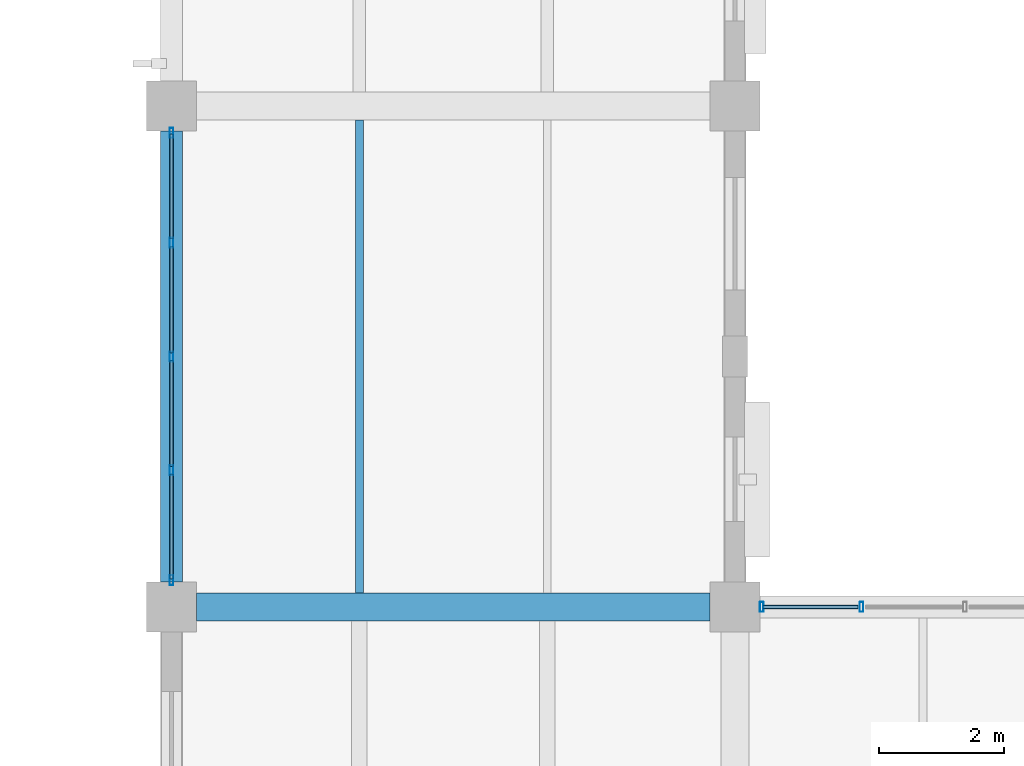
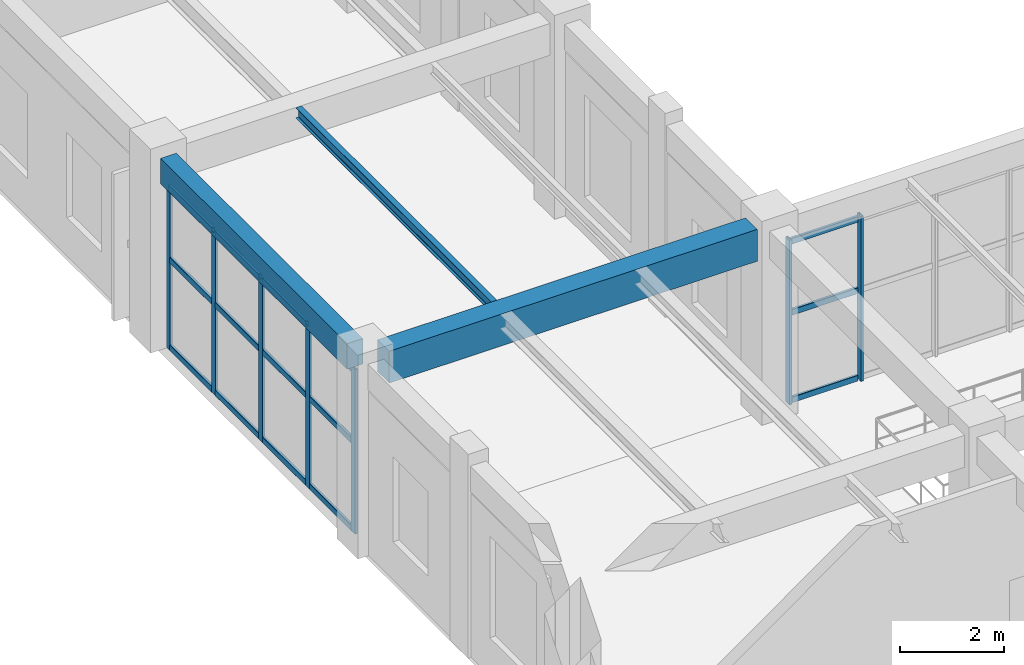
# One storey, part 49 of 178: 22 members, 3 beams, 2 elements without a shape of their own.
"""IFC4 building model written with IfcOpenShell, lengths in metres."""

from ifc_helpers import new_model, si_unit, derived_unit, direction, frame, origin, origin_2d, place, context, subcontext, project, spatial, rectangle, hollow_rectangle, i_section, extrude, material, material_profile, profile_set, type_object, element, aggregate, save


model = new_model("IFC4")

# Units and contexts
model_context = context("Model", 3, precision=1e-05, world=origin(), true_north=direction((0.0, 1.0)))
body_context = subcontext(model_context, "Body", "Model", "MODEL_VIEW")
ifc_project = project(units=[si_unit("LENGTHUNIT", "METRE"), si_unit("AREAUNIT", "SQUARE_METRE"), si_unit("VOLUMEUNIT", "CUBIC_METRE"), si_unit("PLANEANGLEUNIT", "RADIAN"), si_unit("MASSUNIT", "GRAM", prefix="KILO"), derived_unit("THERMALTRANSMITTANCEUNIT", [(si_unit("MASSUNIT", "GRAM", prefix="KILO"), 1), (si_unit("TIMEUNIT", "SECOND"), -3), (si_unit("THERMODYNAMICTEMPERATUREUNIT", "KELVIN"), -1)])], contexts=[model_context])

# Site, building, storey
site_placement = place(None, origin())
site = spatial("IfcSite", under=ifc_project, at=site_placement, CompositionType="ELEMENT")
building_placement = place(site_placement, origin())
building = spatial("IfcBuilding", under=site, at=building_placement, Name="Zhenchuan Archway Interchange", CompositionType="ELEMENT")
storey_placement = place(building_placement, frame((0.0, 0.0, 5.39990234375)))
storey = spatial("IfcBuildingStorey", under=building, at=storey_placement, Name="L01", CompositionType="ELEMENT", Elevation=5.39990234375)

# Beam
ifc_material_1 = material(Name="Concrete C40", Category="concrete")
ifc_material_profile_1 = material_profile(ifc_material_1, rectangle(XDim=0.449951171875, YDim=0.75, at=origin_2d()), Name="RC 450x750")
ifc_profile_set_1 = profile_set([ifc_material_profile_1], Name="Concrete C40")
beam_type_1 = type_object("IfcBeamType", Name="BM_RC_450x750", PredefinedType="BEAM", material=ifc_profile_set_1)
beam_1_placement = place(storey_placement, frame((99.39990234375, 24.0, 4.135009765625), z_axis=(1.0, 0.0, 0.0), x_axis=(0.0, 1.0, 0.0)))
element("IfcBeam", 1, at=beam_1_placement, inside=storey, type_object=beam_type_1, Name="Beam D:12-13 (L01)", PredefinedType="BEAM", context=body_context, shape_type="SweptSolid", body=[
    extrude(rectangle(XDim=0.449951171875, YDim=0.75, at=origin_2d()), origin(), (0.0, 0.0, 1.0), 8.2001953125),
])

# Curtain wall, members
ifc_material_2 = material(Name="Anodised Aluminium", Category="aluminium")
curtain_wall_type_1 = type_object("IfcCurtainWallType", Name="CW_UNIT_2", PredefinedType="NOTDEFINED", material=ifc_material_2)
curtain_wall_1_placement = place(storey_placement, origin())
curtain_wall_1 = element("IfcCurtainWall", 2, at=curtain_wall_1_placement, inside=storey, type_object=curtain_wall_type_1, Name="Unitised curtain wall CW:L01:073", PredefinedType="NOTDEFINED")
ifc_material_profile_2 = material_profile(ifc_material_2, hollow_rectangle(XDim=0.06005859375, YDim=0.159912109375, WallThickness=0.00390625, InnerFilletRadius=0.00390625, OuterFilletRadius=0.008056640625, at=origin_2d()), Name="ALU 160x60x4")
ifc_profile_set_2 = profile_set([ifc_material_profile_2], Name="Anodised Aluminium")
member_type_1 = type_object("IfcMemberType", Name="CW_MUL_150", PredefinedType="MULLION", material=ifc_profile_set_2)
member_1_placement = place(storey_placement, frame((99.0, 24.427978515625, 0.0), z_axis=(0.0, 0.0, 1.0), x_axis=(1.0, 0.0, 0.0)))
member_1 = element("IfcMember", 3, at=member_1_placement, type_object=member_type_1, Name="CW:L01:073 mullion 0", PredefinedType="MULLION", context=body_context, shape_type="SweptSolid", body=[
    extrude(hollow_rectangle(XDim=0.06005859375, YDim=0.159912109375, WallThickness=0.00390625, InnerFilletRadius=0.00390625, OuterFilletRadius=0.008056640625, at=origin_2d()), origin(), (0.0, 0.0, 1.0), 3.880126953125),
])
member_2_placement = place(storey_placement, frame((99.0, 26.18408203125, 0.0), z_axis=(0.0, 0.0, 1.0), x_axis=(1.0, 0.0, 0.0)))
member_2 = element("IfcMember", 4, at=member_2_placement, type_object=member_type_1, Name="CW:L01:073 mullion 1", PredefinedType="MULLION", context=body_context, shape_type="SweptSolid", body=[
    extrude(hollow_rectangle(XDim=0.06005859375, YDim=0.159912109375, WallThickness=0.00390625, InnerFilletRadius=0.00390625, OuterFilletRadius=0.008056640625, at=origin_2d()), origin(), (0.0, 0.0, 1.0), 3.880126953125),
])
member_3_placement = place(storey_placement, frame((99.0, 28.0, 0.0), z_axis=(0.0, 0.0, 1.0), x_axis=(1.0, 0.0, 0.0)))
member_3 = element("IfcMember", 5, at=member_3_placement, type_object=member_type_1, Name="CW:L01:073 mullion 2", PredefinedType="MULLION", context=body_context, shape_type="SweptSolid", body=[
    extrude(hollow_rectangle(XDim=0.06005859375, YDim=0.159912109375, WallThickness=0.00390625, InnerFilletRadius=0.00390625, OuterFilletRadius=0.008056640625, at=origin_2d()), origin(), (0.0, 0.0, 1.0), 3.880126953125),
])
member_4_placement = place(storey_placement, frame((99.0, 29.81591796875, 0.0), z_axis=(0.0, 0.0, 1.0), x_axis=(1.0, 0.0, 0.0)))
member_4 = element("IfcMember", 6, at=member_4_placement, type_object=member_type_1, Name="CW:L01:073 mullion 3", PredefinedType="MULLION", context=body_context, shape_type="SweptSolid", body=[
    extrude(hollow_rectangle(XDim=0.06005859375, YDim=0.159912109375, WallThickness=0.00390625, InnerFilletRadius=0.00390625, OuterFilletRadius=0.008056640625, at=origin_2d()), origin(), (0.0, 0.0, 1.0), 3.880126953125),
])
member_5_placement = place(storey_placement, frame((99.0, 31.572021484375, 0.0), z_axis=(0.0, 0.0, 1.0), x_axis=(1.0, 0.0, 0.0)))
member_5 = element("IfcMember", 7, at=member_5_placement, type_object=member_type_1, Name="CW:L01:073 mullion 4", PredefinedType="MULLION", context=body_context, shape_type="SweptSolid", body=[
    extrude(hollow_rectangle(XDim=0.06005859375, YDim=0.159912109375, WallThickness=0.00390625, InnerFilletRadius=0.00390625, OuterFilletRadius=0.008056640625, at=origin_2d()), origin(), (0.0, 0.0, 1.0), 3.880126953125),
])

curtain_wall_type_2 = type_object("IfcCurtainWallType", Name="CW_UNIT_3", PredefinedType="NOTDEFINED", material=ifc_material_2)
curtain_wall_2_placement = place(storey_placement, origin())
curtain_wall_2 = element("IfcCurtainWall", 8, at=curtain_wall_2_placement, inside=storey, type_object=curtain_wall_type_2, Name="Unitised curtain wall CW:L01:102", PredefinedType="NOTDEFINED")
member_6_placement = place(storey_placement, frame((108.427978515625, 24.0, 0.0), z_axis=(0.0, 0.0, 1.0), x_axis=(1.0, 0.0, 0.0)))
member_6 = element("IfcMember", 9, at=member_6_placement, type_object=member_type_1, Name="CW:L01:102 mullion 0", PredefinedType="MULLION", context=body_context, shape_type="SweptSolid", body=[
    extrude(hollow_rectangle(XDim=0.06005859375, YDim=0.159912109375, WallThickness=0.00390625, InnerFilletRadius=0.00390625, OuterFilletRadius=0.008056640625, at=origin_2d()), origin(), (0.0, 0.0, 1.0), 3.880126953125),
])
member_7_placement = place(storey_placement, frame((110.020751953125, 24.0, 0.0), z_axis=(0.0, 0.0, 1.0), x_axis=(1.0, 0.0, 0.0)))
member_7 = element("IfcMember", 10, at=member_7_placement, type_object=member_type_1, Name="CW:L01:102 mullion 1", PredefinedType="MULLION", context=body_context, shape_type="SweptSolid", body=[
    extrude(hollow_rectangle(XDim=0.06005859375, YDim=0.159912109375, WallThickness=0.00390625, InnerFilletRadius=0.00390625, OuterFilletRadius=0.008056640625, at=origin_2d()), origin(), (0.0, 0.0, 1.0), 3.880126953125),
])

# Member
ifc_material_profile_3 = material_profile(ifc_material_2, hollow_rectangle(XDim=0.06005859375, YDim=0.139892578125, WallThickness=0.00341796875, InnerFilletRadius=0.00341796875, OuterFilletRadius=0.007080078125, at=origin_2d()), Name="ALU 140x60x3.5")
ifc_profile_set_3 = profile_set([ifc_material_profile_3], Name="Anodised Aluminium")
member_type_2 = type_object("IfcMemberType", Name="CW_TRN_140", PredefinedType="USERDEFINED", material=ifc_profile_set_3)
member_8_placement = place(storey_placement, frame((99.0, 24.447998046875, 0.06005859375), z_axis=(0.0, 1.0, 0.0), x_axis=(-1.0, 0.0, 0.0)))
member_8 = element("IfcMember", 11, at=member_8_placement, type_object=member_type_2, Name="CW:L01:073 transom 0-1", ObjectType="TRANSOM", PredefinedType="USERDEFINED", context=body_context, shape_type="SweptSolid", body=[
    extrude(hollow_rectangle(XDim=0.06005859375, YDim=0.139892578125, WallThickness=0.00341796875, InnerFilletRadius=0.00341796875, OuterFilletRadius=0.007080078125, at=origin_2d()), origin(), (0.0, 0.0, 1.0), 1.676025390625),
])

member_9_placement = place(storey_placement, frame((99.0, 24.447998046875, 2.123046875), z_axis=(0.0, 1.0, 0.0), x_axis=(-1.0, 0.0, 0.0)))
member_9 = element("IfcMember", 12, at=member_9_placement, type_object=member_type_2, Name="CW:L01:073 transom 0-2", ObjectType="TRANSOM", PredefinedType="USERDEFINED", context=body_context, shape_type="SweptSolid", body=[
    extrude(hollow_rectangle(XDim=0.06005859375, YDim=0.139892578125, WallThickness=0.00341796875, InnerFilletRadius=0.00341796875, OuterFilletRadius=0.007080078125, at=origin_2d()), origin(), (0.0, 0.0, 1.0), 1.676025390625),
])

member_10_placement = place(storey_placement, frame((99.0, 24.447998046875, 3.800048828125), z_axis=(0.0, 1.0, 0.0), x_axis=(-1.0, 0.0, 0.0)))
member_10 = element("IfcMember", 13, at=member_10_placement, type_object=member_type_2, Name="CW:L01:073 transom 0-3", ObjectType="TRANSOM", PredefinedType="USERDEFINED", context=body_context, shape_type="SweptSolid", body=[
    extrude(hollow_rectangle(XDim=0.06005859375, YDim=0.139892578125, WallThickness=0.00341796875, InnerFilletRadius=0.00341796875, OuterFilletRadius=0.007080078125, at=origin_2d()), origin(), (0.0, 0.0, 1.0), 1.676025390625),
])

member_11_placement = place(storey_placement, frame((99.0, 26.243896484375, 0.06005859375), z_axis=(0.0, 1.0, 0.0), x_axis=(-1.0, 0.0, 0.0)))
member_11 = element("IfcMember", 14, at=member_11_placement, type_object=member_type_2, Name="CW:L01:073 transom 1-1", ObjectType="TRANSOM", PredefinedType="USERDEFINED", context=body_context, shape_type="SweptSolid", body=[
    extrude(hollow_rectangle(XDim=0.06005859375, YDim=0.139892578125, WallThickness=0.00341796875, InnerFilletRadius=0.00341796875, OuterFilletRadius=0.007080078125, at=origin_2d()), origin(), (0.0, 0.0, 1.0), 1.696044921875),
])

member_12_placement = place(storey_placement, frame((99.0, 26.243896484375, 2.123046875), z_axis=(0.0, 1.0, 0.0), x_axis=(-1.0, 0.0, 0.0)))
member_12 = element("IfcMember", 15, at=member_12_placement, type_object=member_type_2, Name="CW:L01:073 transom 1-2", ObjectType="TRANSOM", PredefinedType="USERDEFINED", context=body_context, shape_type="SweptSolid", body=[
    extrude(hollow_rectangle(XDim=0.06005859375, YDim=0.139892578125, WallThickness=0.00341796875, InnerFilletRadius=0.00341796875, OuterFilletRadius=0.007080078125, at=origin_2d()), origin(), (0.0, 0.0, 1.0), 1.696044921875),
])

member_13_placement = place(storey_placement, frame((99.0, 26.243896484375, 3.800048828125), z_axis=(0.0, 1.0, 0.0), x_axis=(-1.0, 0.0, 0.0)))
member_13 = element("IfcMember", 16, at=member_13_placement, type_object=member_type_2, Name="CW:L01:073 transom 1-3", ObjectType="TRANSOM", PredefinedType="USERDEFINED", context=body_context, shape_type="SweptSolid", body=[
    extrude(hollow_rectangle(XDim=0.06005859375, YDim=0.139892578125, WallThickness=0.00341796875, InnerFilletRadius=0.00341796875, OuterFilletRadius=0.007080078125, at=origin_2d()), origin(), (0.0, 0.0, 1.0), 1.696044921875),
])

member_14_placement = place(storey_placement, frame((99.0, 28.06005859375, 0.06005859375), z_axis=(0.0, 1.0, 0.0), x_axis=(-1.0, 0.0, 0.0)))
member_14 = element("IfcMember", 17, at=member_14_placement, type_object=member_type_2, Name="CW:L01:073 transom 2-1", ObjectType="TRANSOM", PredefinedType="USERDEFINED", context=body_context, shape_type="SweptSolid", body=[
    extrude(hollow_rectangle(XDim=0.06005859375, YDim=0.139892578125, WallThickness=0.00341796875, InnerFilletRadius=0.00341796875, OuterFilletRadius=0.007080078125, at=origin_2d()), origin(), (0.0, 0.0, 1.0), 1.696044921875),
])

member_15_placement = place(storey_placement, frame((99.0, 28.06005859375, 2.123046875), z_axis=(0.0, 1.0, 0.0), x_axis=(-1.0, 0.0, 0.0)))
member_15 = element("IfcMember", 18, at=member_15_placement, type_object=member_type_2, Name="CW:L01:073 transom 2-2", ObjectType="TRANSOM", PredefinedType="USERDEFINED", context=body_context, shape_type="SweptSolid", body=[
    extrude(hollow_rectangle(XDim=0.06005859375, YDim=0.139892578125, WallThickness=0.00341796875, InnerFilletRadius=0.00341796875, OuterFilletRadius=0.007080078125, at=origin_2d()), origin(), (0.0, 0.0, 1.0), 1.696044921875),
])

member_16_placement = place(storey_placement, frame((99.0, 28.06005859375, 3.800048828125), z_axis=(0.0, 1.0, 0.0), x_axis=(-1.0, 0.0, 0.0)))
member_16 = element("IfcMember", 19, at=member_16_placement, type_object=member_type_2, Name="CW:L01:073 transom 2-3", ObjectType="TRANSOM", PredefinedType="USERDEFINED", context=body_context, shape_type="SweptSolid", body=[
    extrude(hollow_rectangle(XDim=0.06005859375, YDim=0.139892578125, WallThickness=0.00341796875, InnerFilletRadius=0.00341796875, OuterFilletRadius=0.007080078125, at=origin_2d()), origin(), (0.0, 0.0, 1.0), 1.696044921875),
])

member_17_placement = place(storey_placement, frame((99.0, 29.8759765625, 0.06005859375), z_axis=(0.0, 1.0, 0.0), x_axis=(-1.0, 0.0, 0.0)))
member_17 = element("IfcMember", 20, at=member_17_placement, type_object=member_type_2, Name="CW:L01:073 transom 3-1", ObjectType="TRANSOM", PredefinedType="USERDEFINED", context=body_context, shape_type="SweptSolid", body=[
    extrude(hollow_rectangle(XDim=0.06005859375, YDim=0.139892578125, WallThickness=0.00341796875, InnerFilletRadius=0.00341796875, OuterFilletRadius=0.007080078125, at=origin_2d()), origin(), (0.0, 0.0, 1.0), 1.676025390625),
])

member_18_placement = place(storey_placement, frame((99.0, 29.8759765625, 2.123046875), z_axis=(0.0, 1.0, 0.0), x_axis=(-1.0, 0.0, 0.0)))
member_18 = element("IfcMember", 21, at=member_18_placement, type_object=member_type_2, Name="CW:L01:073 transom 3-2", ObjectType="TRANSOM", PredefinedType="USERDEFINED", context=body_context, shape_type="SweptSolid", body=[
    extrude(hollow_rectangle(XDim=0.06005859375, YDim=0.139892578125, WallThickness=0.00341796875, InnerFilletRadius=0.00341796875, OuterFilletRadius=0.007080078125, at=origin_2d()), origin(), (0.0, 0.0, 1.0), 1.676025390625),
])

member_19_placement = place(storey_placement, frame((99.0, 29.8759765625, 3.800048828125), z_axis=(0.0, 1.0, 0.0), x_axis=(-1.0, 0.0, 0.0)))
member_19 = element("IfcMember", 22, at=member_19_placement, type_object=member_type_2, Name="CW:L01:073 transom 3-3", ObjectType="TRANSOM", PredefinedType="USERDEFINED", context=body_context, shape_type="SweptSolid", body=[
    extrude(hollow_rectangle(XDim=0.06005859375, YDim=0.139892578125, WallThickness=0.00341796875, InnerFilletRadius=0.00341796875, OuterFilletRadius=0.007080078125, at=origin_2d()), origin(), (0.0, 0.0, 1.0), 1.676025390625),
])

aggregate(curtain_wall_1, [member_1, member_2, member_3, member_4, member_5, member_8, member_9, member_10, member_11, member_12, member_13, member_14, member_15, member_16, member_17, member_18, member_19])

member_20_placement = place(storey_placement, frame((108.447998046875, 24.0, 0.06005859375), z_axis=(1.0, 0.0, 0.0), x_axis=(0.0, 1.0, 0.0)))
member_20 = element("IfcMember", 23, at=member_20_placement, type_object=member_type_2, Name="CW:L01:102 transom 0-1", ObjectType="TRANSOM", PredefinedType="USERDEFINED", context=body_context, shape_type="SweptSolid", body=[
    extrude(hollow_rectangle(XDim=0.06005859375, YDim=0.139892578125, WallThickness=0.00341796875, InnerFilletRadius=0.00341796875, OuterFilletRadius=0.007080078125, at=origin_2d()), origin(), (0.0, 0.0, 1.0), 1.5126953125),
])

member_21_placement = place(storey_placement, frame((108.447998046875, 24.0, 2.123046875), z_axis=(1.0, 0.0, 0.0), x_axis=(0.0, 1.0, 0.0)))
member_21 = element("IfcMember", 24, at=member_21_placement, type_object=member_type_2, Name="CW:L01:102 transom 0-2", ObjectType="TRANSOM", PredefinedType="USERDEFINED", context=body_context, shape_type="SweptSolid", body=[
    extrude(hollow_rectangle(XDim=0.06005859375, YDim=0.139892578125, WallThickness=0.00341796875, InnerFilletRadius=0.00341796875, OuterFilletRadius=0.007080078125, at=origin_2d()), origin(), (0.0, 0.0, 1.0), 1.5126953125),
])

member_22_placement = place(storey_placement, frame((108.447998046875, 24.0, 3.800048828125), z_axis=(1.0, 0.0, 0.0), x_axis=(0.0, 1.0, 0.0)))
member_22 = element("IfcMember", 25, at=member_22_placement, type_object=member_type_2, Name="CW:L01:102 transom 0-3", ObjectType="TRANSOM", PredefinedType="USERDEFINED", context=body_context, shape_type="SweptSolid", body=[
    extrude(hollow_rectangle(XDim=0.06005859375, YDim=0.139892578125, WallThickness=0.00341796875, InnerFilletRadius=0.00341796875, OuterFilletRadius=0.007080078125, at=origin_2d()), origin(), (0.0, 0.0, 1.0), 1.5126953125),
])

aggregate(curtain_wall_2, [member_6, member_7, member_20, member_21, member_22])

# Beams
ifc_material_3 = material(Name="Steel Q355", Category="steel")
ifc_material_profile_4 = material_profile(ifc_material_3, i_section(OverallWidth=0.125, OverallDepth=0.25, WebThickness=0.006103515625, FlangeThickness=0.009033203125, FilletRadius=0.011962890625, at=origin_2d()), Name="HN 250x125")
ifc_profile_set_4 = profile_set([ifc_material_profile_4], Name="Steel Q355")
beam_type_2 = type_object("IfcBeamType", Name="JST_STL_HN250", PredefinedType="JOIST", material=ifc_profile_set_4)
beam_2_placement = place(storey_placement, frame((102.0, 24.22509765625, 4.385009765625), z_axis=(0.0, 1.0, 0.0), x_axis=(-1.0, 0.0, 0.0)))
element("IfcBeam", 26, at=beam_2_placement, inside=storey, type_object=beam_type_2, Name="Secondary joist 12-13/D-E #1 (L01)", PredefinedType="JOIST", context=body_context, shape_type="SweptSolid", body=[
    extrude(i_section(OverallWidth=0.125, OverallDepth=0.25, WebThickness=0.006103515625, FlangeThickness=0.009033203125, FilletRadius=0.011962890625, at=origin_2d()), origin(), (0.0, 0.0, 1.0), 7.5498046875),
])
ifc_material_profile_5 = material_profile(ifc_material_1, rectangle(XDim=0.35009765625, YDim=0.60009765625, at=origin_2d()), Name="RC 350x600")
ifc_profile_set_5 = profile_set([ifc_material_profile_5], Name="Concrete C40")
beam_type_3 = type_object("IfcBeamType", Name="SP_RC_350x600", PredefinedType="SPANDREL", material=ifc_profile_set_5)
beam_3_placement = place(storey_placement, frame((99.0, 24.39990234375, 4.210205078125), z_axis=(0.0, 1.0, 0.0), x_axis=(-1.0, 0.0, 0.0)))
element("IfcBeam", 27, at=beam_3_placement, inside=storey, type_object=beam_type_3, Name="Beam 12:D-E (L01)", PredefinedType="SPANDREL", context=body_context, shape_type="SweptSolid", body=[
    extrude(rectangle(XDim=0.35009765625, YDim=0.60009765625, at=origin_2d()), origin(), (0.0, 0.0, 1.0), 7.2001953125),
])

save(model, "model.ifc")
